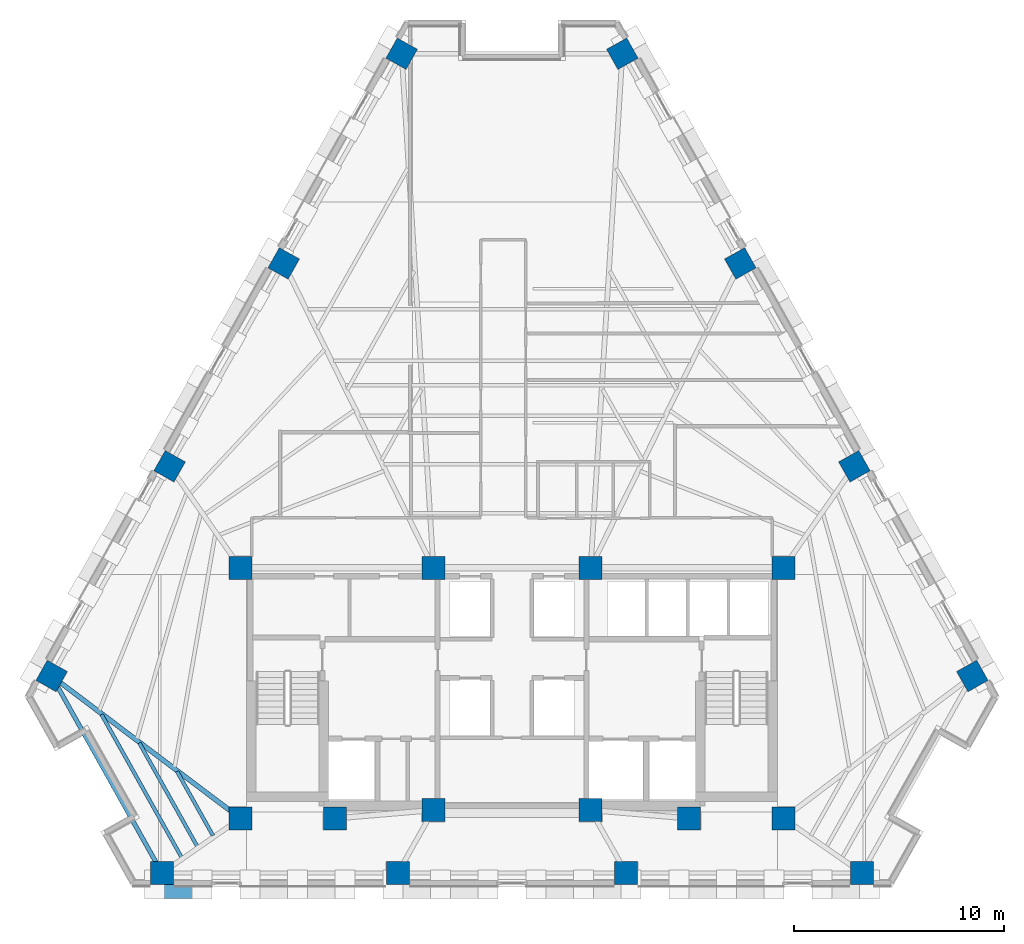
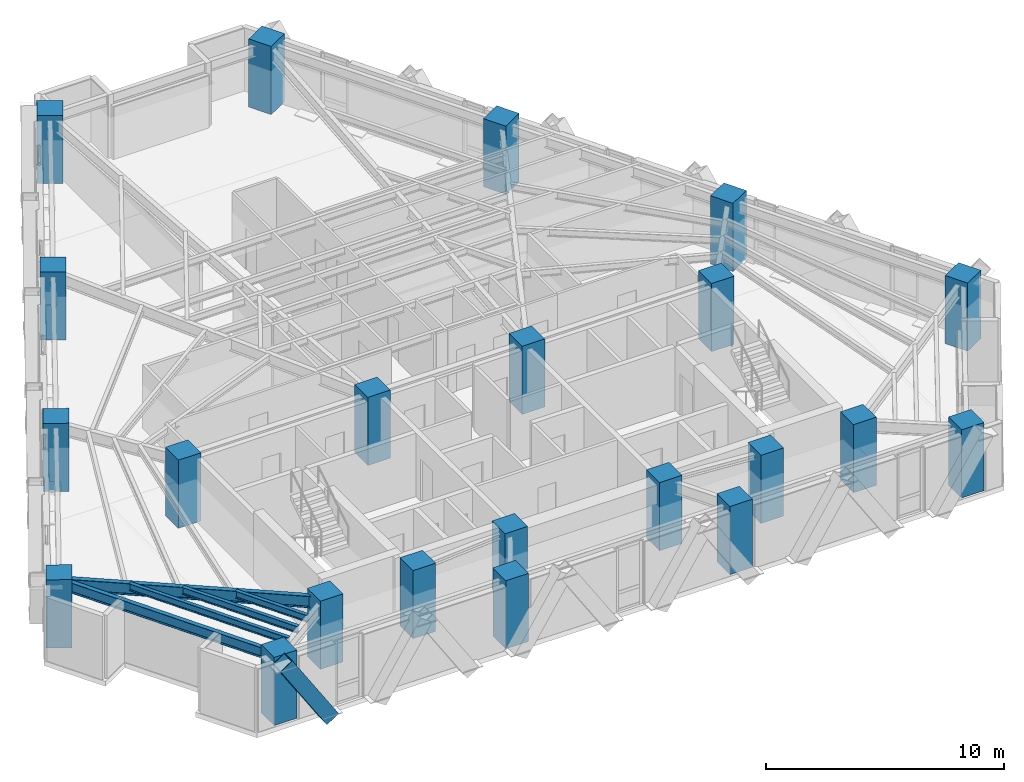
# One storey, part 1 of 13: 22 columns, 5 beams, 1 member.
"""IFC4 building model written with IfcOpenShell, lengths in metres."""

from ifc_helpers import new_model, si_unit, direction, frame, origin, origin_2d, place, context, subcontext, project, spatial, rectangle, hollow_rectangle, i_section, extrude, material, material_profile, profile_set, type_object, element, save


model = new_model("IFC4")

# Units and contexts
model_context = context("Model", 3, precision=1e-05, world=origin(), true_north=direction((0.0, 1.0)))
body_context = subcontext(model_context, "Body", "Model", "MODEL_VIEW")
ifc_project = project(units=[si_unit("LENGTHUNIT", "METRE"), si_unit("AREAUNIT", "SQUARE_METRE"), si_unit("VOLUMEUNIT", "CUBIC_METRE"), si_unit("PLANEANGLEUNIT", "RADIAN"), si_unit("MASSUNIT", "GRAM", prefix="KILO")], contexts=[model_context])

# Site, building, storey
site_placement = place(None, origin())
site = spatial("IfcSite", under=ifc_project, at=site_placement, CompositionType="ELEMENT")
building_placement = place(site_placement, origin())
building = spatial("IfcBuilding", under=site, at=building_placement, Name="Quenlor Broadcast Tower", CompositionType="ELEMENT")
storey_placement = place(building_placement, frame((0.0, 0.0, 116.0)))
storey = spatial("IfcBuildingStorey", under=building, at=storey_placement, Name="L31", CompositionType="ELEMENT", Elevation=116.0)

# Columns
ifc_material_1 = material(Name="Concrete C65/80", Category="concrete")
ifc_material_profile_1 = material_profile(ifc_material_1, rectangle(XDim=1.10009765625, YDim=1.10009765625, at=origin_2d()))
ifc_profile_set_1 = profile_set([ifc_material_profile_1], Name="Concrete C65/80 RC1100x1100")
column_type_1 = type_object("IfcColumnType", Name="Core Corner Column Mid Concrete C65/80 1100", PredefinedType="COLUMN", material=ifc_profile_set_1)
for number, where, z_axis, x_axis, name in (
    (1, (-12.949951171875, -16.75, 0.0), (0.0, 0.0, 1.0), (1.0, 0.0, 0.0), "L31 Core Column CC1"),
    (2, (-8.449951171875, -16.75, 0.0), (0.0, 0.0, 1.0), (1.0, 0.0, 0.0), "L31 Core Column CC2"),
    (3, (-3.75, -16.35009765625, 0.0), (0.0, 0.0, 1.0), (1.0, 0.0, 0.0), "L31 Core Column CC3"),
    (4, (3.75, -16.35009765625, 0.0), (0.0, 0.0, 1.0), (1.0, 0.0, 0.0), "L31 Core Column CC4"),
    (5, (8.449951171875, -16.75, 0.0), (0.0, 0.0, 1.0), (1.0, 0.0, 0.0), "L31 Core Column CC5"),
    (6, (12.949951171875, -16.75, 0.0), (0.0, 0.0, 1.0), (1.0, 0.0, 0.0), "L31 Core Column CC6"),
    (7, (-12.949951171875, -4.800048828125, 0.0), (0.0, 0.0, 1.0), (1.0, 0.0, 0.0), "L31 Core Column CC7"),
    (8, (-3.75, -4.800048828125, 0.0), (0.0, 0.0, 1.0), (1.0, 0.0, 0.0), "L31 Core Column CC8"),
    (9, (3.75, -4.800048828125, 0.0), (0.0, 0.0, 1.0), (1.0, 0.0, 0.0), "L31 Core Column CC9"),
    (10, (12.949951171875, -4.800048828125, 0.0), (0.0, 0.0, 1.0), (1.0, 0.0, 0.0), "L31 Core Column CC10"),
):
    element("IfcColumn", number, at=place(storey_placement, frame(where, z_axis=z_axis, x_axis=x_axis)), inside=storey, type_object=column_type_1, Name=name, PredefinedType="COLUMN", context=body_context, shape_type="SweptSolid", body=[
        extrude(rectangle(XDim=1.10009765625, YDim=1.10009765625, at=origin_2d()), origin(), (0.0, 0.0, 1.0), 3.5),
    ])
ifc_material_2 = material(Name="Concrete C65/80", Category="concrete")
ifc_material_profile_2 = material_profile(ifc_material_2, rectangle(XDim=1.10009765625, YDim=1.10009765625, at=origin_2d()))
ifc_profile_set_2 = profile_set([ifc_material_profile_2], Name="Concrete C65/80 RC1100x1100")
column_type_2 = type_object("IfcColumnType", Name="Tower Perimeter Column Z2 Concrete C65/80 1100", PredefinedType="COLUMN", material=ifc_profile_set_2)
for number, where, z_axis, x_axis, name in (
    (11, (-16.6923828125, -19.35009765625, 0.0), (0.0, 0.0, 1.0), (0.0, 1.0, 0.0), "L31 Perimeter Column S1"),
    (12, (-5.443115234375, -19.35009765625, 0.0), (0.0, 0.0, 1.0), (0.0, 1.0, 0.0), "L31 Perimeter Column S2"),
    (13, (5.443115234375, -19.35009765625, 0.0), (0.0, 0.0, 1.0), (0.0, 1.0, 0.0), "L31 Perimeter Column S3"),
    (14, (16.6923828125, -19.35009765625, 0.0), (0.0, 0.0, 1.0), (0.0, 1.0, 0.0), "L31 Perimeter Column S4"),
    (15, (21.95458984375, -9.95654296875, 0.0), (0.0, 0.0, 1.0), (0.871575139605, 0.490261946333, 0.0), "L31 Perimeter Column NE1"),
    (16, (16.330078125, 0.04296875, 0.0), (0.0, 0.0, 1.0), (0.871575139605, 0.490261946333, 0.0), "L31 Perimeter Column NE2"),
    (17, (10.886962890625, 9.7197265625, 0.0), (0.0, 0.0, 1.0), (0.871575139605, 0.490261946333, 0.0), "L31 Perimeter Column NE3"),
    (18, (5.26220703125, 19.718994140625, 0.0), (0.0, 0.0, 1.0), (0.871575139605, 0.490261946333, 0.0), "L31 Perimeter Column NE4"),
    (19, (-5.26220703125, 19.718994140625, 0.0), (0.0, 0.0, 1.0), (-0.871575139605, 0.490261946333, 0.0), "L31 Perimeter Column NW1"),
    (20, (-10.886962890625, 9.7197265625, 0.0), (0.0, 0.0, 1.0), (-0.871575139605, 0.490261946333, 0.0), "L31 Perimeter Column NW2"),
    (21, (-16.330078125, 0.04296875, 0.0), (0.0, 0.0, 1.0), (-0.871575139605, 0.490261946333, 0.0), "L31 Perimeter Column NW3"),
    (22, (-21.95458984375, -9.95654296875, 0.0), (0.0, 0.0, 1.0), (-0.871575139605, 0.490261946333, 0.0), "L31 Perimeter Column NW4"),
):
    element("IfcColumn", number, at=place(storey_placement, frame(where, z_axis=z_axis, x_axis=x_axis)), inside=storey, type_object=column_type_2, Name=name, PredefinedType="COLUMN", context=body_context, shape_type="SweptSolid", body=[
        extrude(rectangle(XDim=1.10009765625, YDim=1.10009765625, at=origin_2d()), origin(), (0.0, 0.0, 1.0), 3.5),
    ])

# Member
ifc_material_3 = material(Name="Steel S355", Category="steel")
ifc_material_profile_3 = material_profile(ifc_material_3, hollow_rectangle(XDim=0.679931640625, YDim=0.679931640625, WallThickness=0.030029296875, at=origin_2d()))
ifc_profile_set_3 = profile_set([ifc_material_profile_3], Name="Steel S355 RHS680x680x30")
member_type = type_object("IfcMemberType", Name="Perimeter Diagonal Lattice Brace Z2 Steel S355 RHS680x30", PredefinedType="BRACE", material=ifc_profile_set_3)
member_placement = place(storey_placement, frame((-14.78515625, -20.235107421875, -0.1201171875), z_axis=(-0.539968035679, 0.0, 0.841685523485), x_axis=(0.0, -1.0, 0.0)))
element("IfcMember", 23, at=member_placement, inside=storey, type_object=member_type, Name="L31 Perimeter Diamond Lattice S-C5S", PredefinedType="BRACE", context=body_context, shape_type="SweptSolid", body=[
    extrude(hollow_rectangle(XDim=0.679931640625, YDim=0.679931640625, WallThickness=0.030029296875, at=origin_2d()), origin(), (0.0, 0.0, 1.0), 4.158203125),
])

# Beams
ifc_material_4 = material(Name="Steel S355", Category="steel")
ifc_material_profile_4 = material_profile(ifc_material_4, i_section(OverallWidth=0.208984375, OverallDepth=0.5283203125, WebThickness=0.009521484375, FlangeThickness=0.01318359375, FilletRadius=0.013916015625, at=origin_2d()))
ifc_profile_set_4 = profile_set([ifc_material_profile_4], Name="Steel S355 530UB82.0")
beam_type_1 = type_object("IfcBeamType", Name="Perimeter Spandrel Beam Z2 Steel S355 530UB82.0", PredefinedType="SPANDREL", material=ifc_profile_set_4)
beam_1_placement = place(storey_placement, frame((-21.75439453125, -10.314208984375, 2.98583984375), z_axis=(0.488749102779, -0.872424389006, 0.0), x_axis=(0.872424389006, 0.488749102779, 0.0)))
element("IfcBeam", 24, at=beam_1_placement, inside=storey, type_object=beam_type_1, Name="L31 Spandrel Beam NW4-S1", PredefinedType="SPANDREL", context=body_context, shape_type="SweptSolid", body=[
    extrude(i_section(OverallWidth=0.208984375, OverallDepth=0.5283203125, WebThickness=0.009521484375, FlangeThickness=0.01318359375, FilletRadius=0.013916015625, at=origin_2d()), origin(), (0.0, 0.0, 1.0), 9.947021484375),
])
ifc_material_5 = material(Name="Steel S355", Category="steel")
ifc_material_profile_5 = material_profile(ifc_material_5, i_section(OverallWidth=0.172119140625, OverallDepth=0.358642578125, WebThickness=0.008056640625, FlangeThickness=0.012939453125, FilletRadius=0.011474609375, at=origin_2d()))
ifc_profile_set_5 = profile_set([ifc_material_profile_5], Name="Steel S355 360UB56.7")
beam_type_2 = type_object("IfcBeamType", Name="Tower Composite Joist Z2-Z3 Steel S355 360UB56.7", PredefinedType="JOIST", material=ifc_profile_set_5)
beam_2_placement = place(storey_placement, frame((-14.261474609375, -17.564208984375, 3.07080078125), z_axis=(-0.488730779643, 0.87243465373, 0.0), x_axis=(-0.87243465373, -0.488730779643, 0.0)))
element("IfcBeam", 25, at=beam_2_placement, inside=storey, type_object=beam_type_2, Name="L31 Secondary Composite Joist 19", PredefinedType="JOIST", context=body_context, shape_type="SweptSolid", body=[
    extrude(i_section(OverallWidth=0.172119140625, OverallDepth=0.358642578125, WebThickness=0.008056640625, FlangeThickness=0.012939453125, FilletRadius=0.011474609375, at=origin_2d()), origin(), (0.0, 0.0, 1.0), 3.500732421875),
])
beam_3_placement = place(storey_placement, frame((-15.010009765625, -18.084228515625, 3.07080078125), z_axis=(-0.488741419435, 0.87242869332, 0.0), x_axis=(-0.87242869332, -0.488741419435, 0.0)))
element("IfcBeam", 26, at=beam_3_placement, inside=storey, type_object=beam_type_2, Name="L31 Secondary Composite Joist 20", PredefinedType="JOIST", context=body_context, shape_type="SweptSolid", body=[
    extrude(i_section(OverallWidth=0.172119140625, OverallDepth=0.358642578125, WebThickness=0.008056640625, FlangeThickness=0.012939453125, FilletRadius=0.011474609375, at=origin_2d()), origin(), (0.0, 0.0, 1.0), 5.654052734375),
])
beam_4_placement = place(storey_placement, frame((-15.758544921875, -18.604248046875, 3.07080078125), z_axis=(-0.488732857155, 0.872433489922, 0.0), x_axis=(-0.872433489922, -0.488732857155, 0.0)))
element("IfcBeam", 27, at=beam_4_placement, inside=storey, type_object=beam_type_2, Name="L31 Secondary Composite Joist 21", PredefinedType="JOIST", context=body_context, shape_type="SweptSolid", body=[
    extrude(i_section(OverallWidth=0.172119140625, OverallDepth=0.358642578125, WebThickness=0.008056640625, FlangeThickness=0.012939453125, FilletRadius=0.011474609375, at=origin_2d()), origin(), (0.0, 0.0, 1.0), 7.807861328125),
])
ifc_material_6 = material(Name="Steel S355", Category="steel")
ifc_material_profile_6 = material_profile(ifc_material_6, i_section(OverallWidth=0.22802734375, OverallDepth=0.60205078125, WebThickness=0.010498046875, FlangeThickness=0.014892578125, FilletRadius=0.013916015625, at=origin_2d()))
ifc_profile_set_6 = profile_set([ifc_material_profile_6], Name="Steel S355 610UB101")
beam_type_3 = type_object("IfcBeamType", Name="Tower Primary Floor Beam Z2 Steel S355 610UB101", PredefinedType="BEAM", material=ifc_profile_set_6)
beam_5_placement = place(storey_placement, frame((-21.62744140625, -10.203369140625, 2.948974609375), z_axis=(0.798298724007, -0.602261693327, 0.0), x_axis=(0.602261693327, 0.798298724007, 0.0)))
element("IfcBeam", 28, at=beam_5_placement, inside=storey, type_object=beam_type_3, Name="L31 Primary Radial Beam NW4", PredefinedType="BEAM", context=body_context, shape_type="SweptSolid", body=[
    extrude(i_section(OverallWidth=0.22802734375, OverallDepth=0.60205078125, WebThickness=0.010498046875, FlangeThickness=0.014892578125, FilletRadius=0.013916015625, at=origin_2d()), origin(), (0.0, 0.0, 1.0), 10.48974609375),
])

save(model, "model.ifc")
